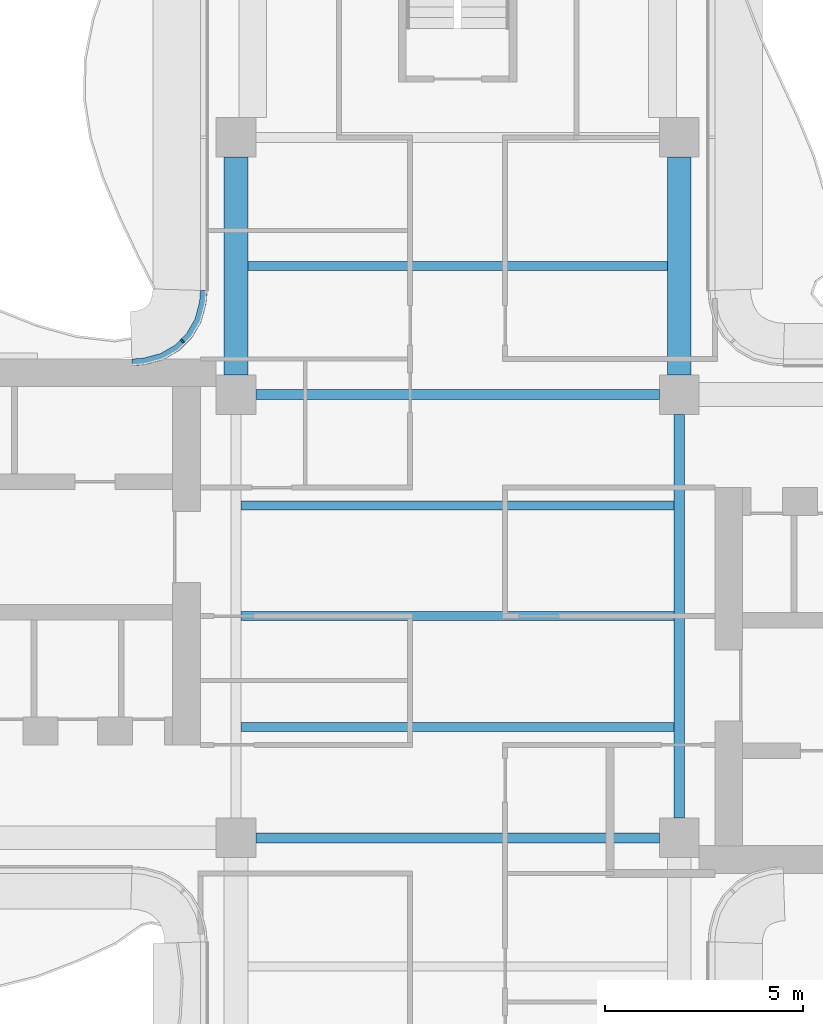
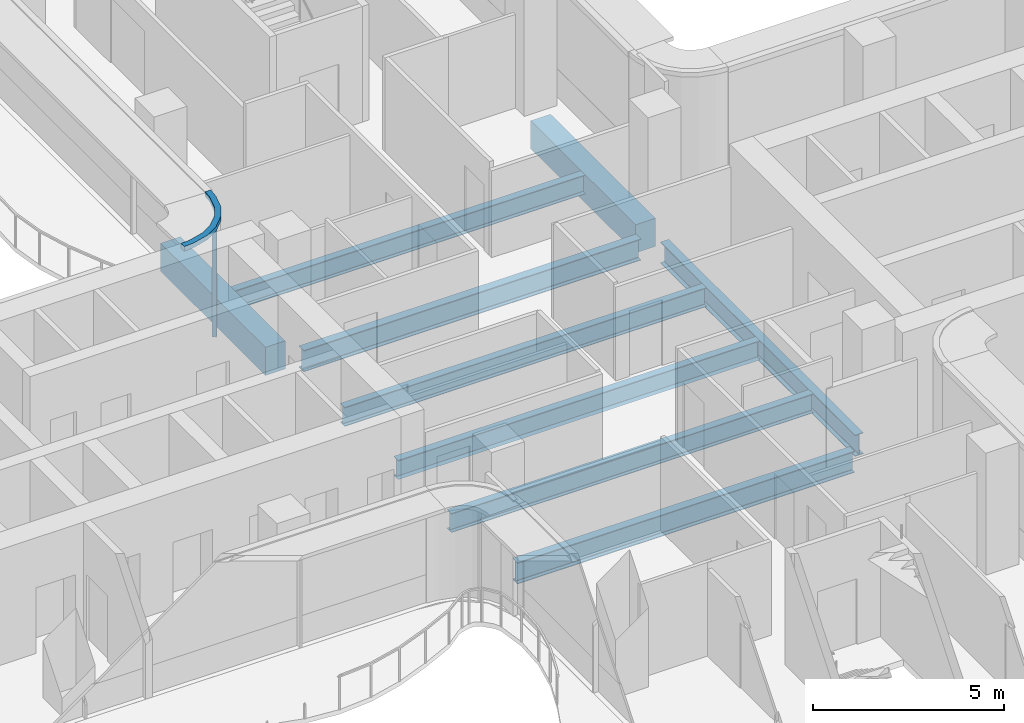
# One storey, part 4 of 16: 9 beams, 2 members, 1 element without a shape of its own.
"""IFC4 building model written with IfcOpenShell, lengths in metres."""

from ifc_helpers import new_model, si_unit, direction, frame, origin, origin_2d, place, context, subcontext, project, spatial, polyline, rectangle, i_section, outline, extrude, source, transform, mapped, material, layer, layer_set, material_profile, profile_set, type_object, element, aggregate, save


model = new_model("IFC4")

# Units and contexts
model_context = context("Model", 3, precision=1e-05, world=origin(), true_north=direction((0.0, 1.0)))
body_context = subcontext(model_context, "Body", "Model", "MODEL_VIEW")
ifc_project = project(units=[si_unit("LENGTHUNIT", "METRE"), si_unit("AREAUNIT", "SQUARE_METRE"), si_unit("VOLUMEUNIT", "CUBIC_METRE"), si_unit("PLANEANGLEUNIT", "RADIAN"), si_unit("MASSUNIT", "GRAM", prefix="KILO")], contexts=[model_context])

# Site, building, storey
site_placement = place(None, origin())
site = spatial("IfcSite", under=ifc_project, at=site_placement, CompositionType="ELEMENT")
building_placement = place(site_placement, origin())
building = spatial("IfcBuilding", under=site, at=building_placement, Name="Trellis Farm Tower", CompositionType="ELEMENT")
storey_placement = place(building_placement, frame((0.0, 0.0, 298.89990234375)))
storey = spatial("IfcBuildingStorey", under=building, at=storey_placement, Name="L67", CompositionType="ELEMENT", Elevation=298.89990234375)

# Beams
ifc_material_1 = material(Name="Steel S355", Category="steel")
ifc_material_profile_1 = material_profile(ifc_material_1, i_section(OverallWidth=0.22900390625, OverallDepth=0.6123046875, WebThickness=0.011962890625, FlangeThickness=0.01953125, FilletRadius=0.0126953125, at=origin_2d()), Name="UB 610x229x125")
ifc_profile_set_1 = profile_set([ifc_material_profile_1], Name="Steel S355")
beam_type_1 = type_object("IfcBeamType", Name="UB 610x229x125 joist", PredefinedType="JOIST", material=ifc_profile_set_1)
shared_shape_1 = source(origin(), body_context, "Body", "SweptSolid", [
    extrude(i_section(OverallWidth=0.22900390625, OverallDepth=0.6123046875, WebThickness=0.011962890625, FlangeThickness=0.01953125, FilletRadius=0.0126953125, at=origin_2d()), origin(), (0.0, 0.0, 1.0), 10.9462890625),
])
for number, where, z_axis, x_axis, name in (
    (1, (-5.47314453125, -2.800048828125, -0.506103515625), (1.0, 0.0, 0.0), (0.0, 1.0, 0.0), "Floor beam"),
    (2, (-5.47314453125, 0.0, -0.506103515625), (1.0, 0.0, 0.0), (0.0, 1.0, 0.0), "Floor beam"),
    (3, (-5.47314453125, 2.800048828125, -0.506103515625), (1.0, 0.0, 0.0), (0.0, 1.0, 0.0), "Floor beam"),
):
    element("IfcBeam", number, at=place(storey_placement, frame(where, z_axis=z_axis, x_axis=x_axis)), inside=storey, type_object=beam_type_1, Name=name, PredefinedType="JOIST", context=body_context, shape_type="MappedRepresentation", body=[
        mapped(shared_shape_1, transform((0.0, 0.0, 0.0))),
    ])
shared_shape_2 = source(origin(), body_context, "Body", "SweptSolid", [
    extrude(i_section(OverallWidth=0.22900390625, OverallDepth=0.6123046875, WebThickness=0.011962890625, FlangeThickness=0.01953125, FilletRadius=0.0126953125, at=origin_2d()), origin(), (0.0, 0.0, 1.0), 10.60009765625),
])
beam_placement = place(storey_placement, frame((-5.300048828125, 8.85009765625, -0.506103515625), z_axis=(1.0, 0.0, 0.0), x_axis=(0.0, 1.0, 0.0)))
element("IfcBeam", 4, at=beam_placement, inside=storey, type_object=beam_type_1, Name="Floor beam", PredefinedType="JOIST", context=body_context, shape_type="MappedRepresentation", body=[
    mapped(shared_shape_2, transform((0.0, 0.0, 0.0))),
])
ifc_material_profile_2 = material_profile(ifc_material_1, i_section(OverallWidth=0.253662109375, OverallDepth=0.68359375, WebThickness=0.012451171875, FlangeThickness=0.021728515625, FilletRadius=0.01513671875, at=origin_2d()), Name="UB 686x254x140")
ifc_profile_set_2 = profile_set([ifc_material_profile_2], Name="Steel S355")
beam_type_2 = type_object("IfcBeamType", Name="UB 686x254x140", PredefinedType="BEAM", material=ifc_profile_set_2)
shared_shape_3 = source(origin(), body_context, "Body", "SweptSolid", [
    extrude(i_section(OverallWidth=0.253662109375, OverallDepth=0.68359375, WebThickness=0.012451171875, FlangeThickness=0.021728515625, FilletRadius=0.01513671875, at=origin_2d()), origin(), (0.0, 0.0, 1.0), 10.2001953125),
])
for number, where, z_axis, x_axis, name in (
    (5, (-5.10009765625, -5.60009765625, -0.541748046875), (1.0, 0.0, 0.0), (0.0, 1.0, 0.0), "Girder"),
    (6, (-5.10009765625, 5.60009765625, -0.541748046875), (1.0, 0.0, 0.0), (0.0, 1.0, 0.0), "Girder"),
    (7, (5.60009765625, -5.10009765625, -0.541748046875), (0.0, 1.0, 0.0), (-1.0, 0.0, 0.0), "Girder"),
):
    element("IfcBeam", number, at=place(storey_placement, frame(where, z_axis=z_axis, x_axis=x_axis)), inside=storey, type_object=beam_type_2, Name=name, PredefinedType="BEAM", context=body_context, shape_type="MappedRepresentation", body=[
        mapped(shared_shape_3, transform((0.0, 0.0, 0.0))),
    ])
ifc_material_2 = material(Name="Concrete C60/75", Category="concrete")
ifc_material_profile_3 = material_profile(ifc_material_2, rectangle(XDim=0.60009765625, YDim=0.89990234375, at=origin_2d()), Name="RC spandrel beam 600x900 C60/75")
ifc_profile_set_3 = profile_set([ifc_material_profile_3], Name="Concrete C60/75")
beam_type_3 = type_object("IfcBeamType", Name="RC spandrel beam 600x900 C60/75", PredefinedType="SPANDREL", material=ifc_profile_set_3)
shared_shape_4 = source(origin(), body_context, "Body", "SweptSolid", [
    extrude(rectangle(XDim=0.60009765625, YDim=0.89990234375, at=origin_2d()), origin(), (0.0, 0.0, 1.0), 5.5),
])
for number, where, z_axis, x_axis, name in (
    (8, (-5.60009765625, 6.10009765625, -0.64990234375), (0.0, 1.0, 0.0), (-1.0, 0.0, 0.0), "Girder"),
    (9, (5.60009765625, 6.10009765625, -0.64990234375), (0.0, 1.0, 0.0), (-1.0, 0.0, 0.0), "Girder"),
):
    element("IfcBeam", number, at=place(storey_placement, frame(where, z_axis=z_axis, x_axis=x_axis)), inside=storey, type_object=beam_type_3, Name=name, PredefinedType="SPANDREL", context=body_context, shape_type="MappedRepresentation", body=[
        mapped(shared_shape_4, transform((0.0, 0.0, 0.0))),
    ])

# Curtain wall, members
ifc_material_3 = material(Name="Aluminium and glass curtain wall", Category="aluminium")
ifc_layer_1 = layer(ifc_material_3, 0.166015625)
ifc_layer_set_1 = layer_set([ifc_layer_1], Name="WINTER GARDEN CURTAIN WALL CW3")
curtain_wall_type = type_object("IfcCurtainWallType", Name="WINTER GARDEN CURTAIN WALL CW3", PredefinedType="NOTDEFINED", material=ifc_layer_set_1)
curtain_wall_placement = place(storey_placement, origin())
curtain_wall = element("IfcCurtainWall", 10, at=curtain_wall_placement, inside=storey, type_object=curtain_wall_type, Name="CW3 004", PredefinedType="NOTDEFINED")
ifc_material_4 = material(Name="Aluminium extrusion 6063-T6", Category="aluminium")
ifc_material_profile_4 = material_profile(ifc_material_4, rectangle(XDim=0.050048828125, YDim=0.1201171875, at=origin_2d()), Name="MULLION 50x120")
ifc_profile_set_4 = profile_set([ifc_material_profile_4], Name="Aluminium extrusion 6063-T6")
member_type_1 = type_object("IfcMemberType", Name="CW3 MULLION 50x120", PredefinedType="MULLION", material=ifc_profile_set_4)
shared_shape_5 = source(origin(), body_context, "Body", "SweptSolid", [
    extrude(rectangle(XDim=0.050048828125, YDim=0.1201171875, at=origin_2d()), origin(), (0.0, 0.0, 1.0), 3.550048828125),
])
member_1_placement = place(storey_placement, frame((-6.953125, 6.953125, 0.0), z_axis=(0.0, 0.0, 1.0), x_axis=(-0.707106781187, -0.707106781187, 0.0)))
member_1 = element("IfcMember", 11, at=member_1_placement, type_object=member_type_1, Name="MU3 004-01", PredefinedType="MULLION", context=body_context, shape_type="MappedRepresentation", body=[
    mapped(shared_shape_5, transform((0.0, 0.0, 0.0))),
])
ifc_layer_2 = layer(ifc_material_4, 0.169921875)
ifc_layer_set_2 = layer_set([ifc_layer_2], Name="Aluminium extrusion 6063-T6")
member_type_2 = type_object("IfcMemberType", Name="CW3 TRANSOM 170x150", PredefinedType="USERDEFINED", material=ifc_layer_set_2)
shared_shape_6 = source(origin(), body_context, "Body", "SweptSolid", [
    extrude(outline(polyline([(-6.5, 8.2314453125), (-6.513916015625, 8.01953125), (-6.527587890625, 7.91552734375), (-6.63671875, 7.508544921875), (-6.846923828125, 7.144287109375), (-7.144287109375, 6.846923828125), (-7.508544921875, 6.63671875), (-7.91552734375, 6.527587890625), (-8.01953125, 6.513916015625), (-8.2314453125, 6.5), (-8.225830078125, 6.330078125), (-8.0029296875, 6.3447265625), (-7.88232421875, 6.360595703125), (-7.44287109375, 6.478271484375), (-7.0400390625, 6.7109375), (-6.7109375, 7.0400390625), (-6.478271484375, 7.44287109375), (-6.360595703125, 7.88232421875), (-6.3447265625, 8.0029296875), (-6.330078125, 8.225830078125), (-6.5, 8.2314453125)])), origin(), (0.0, 0.0, 1.0), 0.150146484375),
])
member_2_placement = place(storey_placement, frame((0.0, 0.0, 3.550048828125)))
member_2 = element("IfcMember", 12, at=member_2_placement, type_object=member_type_2, Name="TR3 004", ObjectType="TRANSOM", PredefinedType="USERDEFINED", context=body_context, shape_type="MappedRepresentation", body=[
    mapped(shared_shape_6, transform((0.0, 0.0, 0.0))),
])
aggregate(curtain_wall, [member_1, member_2])

save(model, "model.ifc")
